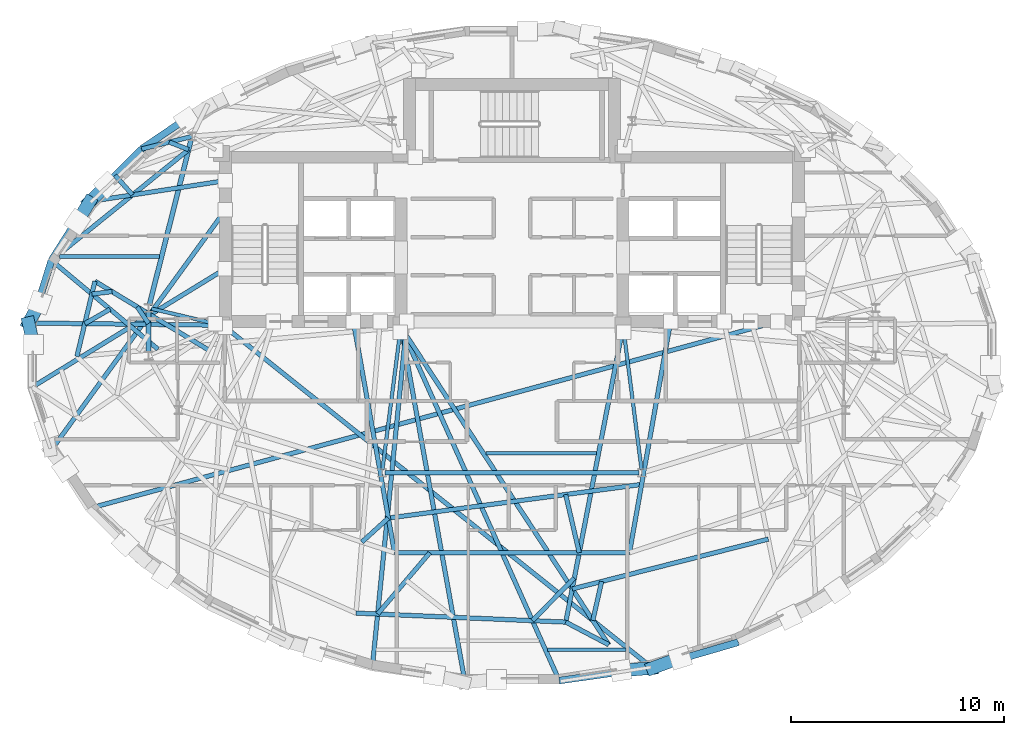
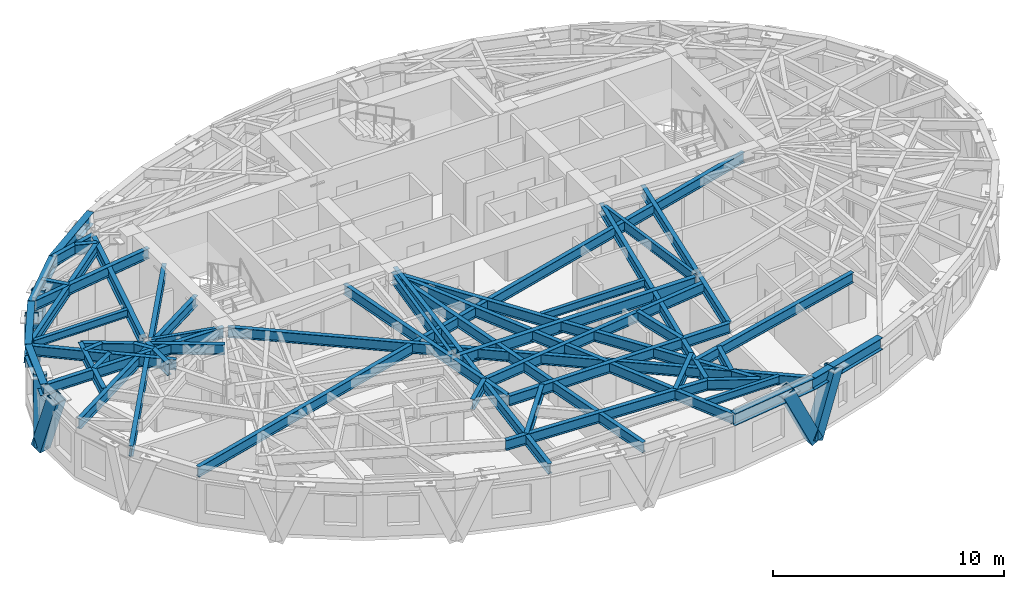
# One storey, part 2 of 14: 48 beams, 6 members.
"""IFC4 building model written with IfcOpenShell, lengths in metres."""

import ifcopenshell
import ifcopenshell.guid

model = None  # the IFC model being written
_history = None  # IfcOwnerHistory: only IFC2X3 demands one
_inside = {}  # id of a spatial element -> (the spatial element, [elements in it])
_under = {}  # id of a project, library or spatial element -> (it, [spatial elements below it])
_declared = {}  # id of a project -> (the project, [libraries it declares])
_typed = {}  # id of a type object -> (the type object, [elements of that type])
_made_of = {}  # id of a material, layer set ... -> (it, [elements and type objects made of it])


def new_model(schema):
    """Start an empty IFC model of exactly this schema.

    Asked for "IFC4X3", IfcOpenShell would pick the latest addendum, in which some entities
    have other attributes; the version numbers below select the first issue.
    IFC2X3 requires an IfcOwnerHistory on every rooted entity: one is made here for all.
    """
    global model, _history
    if schema == "IFC4X3":
        model = ifcopenshell.file(schema_version=(4, 3, 0, 0))
    else:
        model = ifcopenshell.file(schema=schema)
    _inside.clear()
    _under.clear()
    _declared.clear()
    _typed.clear()
    _made_of.clear()
    _history = None
    if model.schema == "IFC2X3":
        org = make("IfcOrganization", Name="unknown")
        user = make(
            "IfcPersonAndOrganization",
            ThePerson=make("IfcPerson", FamilyName="unknown"),
            TheOrganization=org,
        )
        app = make(
            "IfcApplication",
            ApplicationDeveloper=org,
            Version="unknown",
            ApplicationFullName="unknown",
            ApplicationIdentifier="unknown",
        )
        _history = make(
            "IfcOwnerHistory",
            OwningUser=user,
            OwningApplication=app,
            ChangeAction="ADDED",
            CreationDate=0,
        )
    return model


def make(cls, **values):
    """One entity of the class cls with the attributes given. An attribute that is None is left unset."""
    return model.create_entity(
        cls, **{name: value for name, value in values.items() if value is not None}
    )


def rooted(cls, **values):
    """An entity with a GlobalId (a new one), such as an element, a storey or a relation."""
    return make(cls, GlobalId=ifcopenshell.guid.new(), OwnerHistory=_history, **values)


def si_unit(unit_type, name, prefix=None):
    """IfcSIUnit, for example si_unit("LENGTHUNIT", "METRE", prefix="MILLI")."""
    return make("IfcSIUnit", UnitType=unit_type, Prefix=prefix, Name=name)


def assignment(units):
    """IfcUnitAssignment: the units of a project."""
    return None if units is None else make("IfcUnitAssignment", Units=units)


def point(xyz):
    """IfcCartesianPoint."""
    return None if xyz is None else make("IfcCartesianPoint", Coordinates=xyz)


def direction(xyz):
    """IfcDirection."""
    return None if xyz is None else make("IfcDirection", DirectionRatios=xyz)


def frame(location, z_axis=None, x_axis=None):
    """IfcAxis2Placement3D, a coordinate frame: its origin and axes. An axis left out is left unset."""
    return make(
        "IfcAxis2Placement3D",
        Location=point(location),
        Axis=direction(z_axis),
        RefDirection=direction(x_axis),
    )


def frame_2d(location, x_axis=None):
    """IfcAxis2Placement2D, a coordinate frame in the plane: its origin and x axis."""
    return make(
        "IfcAxis2Placement2D", Location=point(location), RefDirection=direction(x_axis)
    )


def origin():
    """The frame at (0, 0, 0) with its axes left unset."""
    return frame((0.0, 0.0, 0.0))


def origin_2d():
    """The frame at (0, 0) in the plane with its x axis left unset."""
    return frame_2d((0.0, 0.0))


def place(relative_to, where):
    """IfcLocalPlacement: puts the frame where relative to a parent placement (None: the world)."""
    return make(
        "IfcLocalPlacement", PlacementRelTo=relative_to, RelativePlacement=where
    )


def context(
    kind, dimensions, precision=None, world=None, true_north=None, identifier=None
):
    """IfcGeometricRepresentationContext, for example the 3D "Model" context."""
    return make(
        "IfcGeometricRepresentationContext",
        ContextIdentifier=identifier,
        ContextType=kind,
        CoordinateSpaceDimension=dimensions,
        Precision=precision,
        WorldCoordinateSystem=world,
        TrueNorth=true_north,
    )


def subcontext(parent, identifier, kind, view, scale=None):
    """IfcGeometricRepresentationSubContext, for example "Body" below "Model"."""
    return make(
        "IfcGeometricRepresentationSubContext",
        ContextIdentifier=identifier,
        ContextType=kind,
        ParentContext=parent,
        TargetScale=scale,
        TargetView=view,
    )


def project(units=None, contexts=None):
    """IfcProject with its units and contexts."""
    return rooted(
        "IfcProject",
        Name="project",
        RepresentationContexts=contexts,
        UnitsInContext=assignment(units),
    )


def spatial(cls, under=None, at=None, **own):
    """A site, building, storey or space (cls), placed at a placement, below another one or the project."""
    s = rooted(cls, ObjectPlacement=at, **own)
    if under is not None:
        _under.setdefault(under.id(), (under, []))[1].append(s)
    return s


def profile(cls, at=None, kind="AREA", **sizes):
    """A parametric profile (cls). Its sizes go by their IFC names, for example OverallWidth=200.0."""
    return make(cls, ProfileType=kind, Position=at, **sizes)


def hollow_rectangle(**sizes):
    """IfcRectangleHollowProfileDef."""
    return profile("IfcRectangleHollowProfileDef", **sizes)


def i_section(**sizes):
    """IfcIShapeProfileDef."""
    return profile("IfcIShapeProfileDef", **sizes)


def extrude(swept, where, along, depth):
    """IfcExtrudedAreaSolid: the profile swept, set in the frame where, extruded along a direction by depth."""
    return make(
        "IfcExtrudedAreaSolid",
        SweptArea=swept,
        Position=where,
        ExtrudedDirection=direction(along),
        Depth=depth,
    )


def shape(context_of_items, identifier, shape_type, items):
    """IfcShapeRepresentation: the items that make up one representation, for example the "Body"."""
    return make(
        "IfcShapeRepresentation",
        ContextOfItems=context_of_items,
        RepresentationIdentifier=identifier,
        RepresentationType=shape_type,
        Items=items,
    )


def material(Name=None, Category=None):
    """IfcMaterial."""
    return make("IfcMaterial", Name=Name, Category=Category)


def material_profile(
    of_material, cross_section, Name=None, Category=None, Priority=None
):
    """IfcMaterialProfile: a cross section and its material."""
    return make(
        "IfcMaterialProfile",
        Name=Name,
        Material=of_material,
        Profile=cross_section,
        Priority=Priority,
        Category=Category,
    )


def profile_set(profiles, Name=None, composite=None):
    """IfcMaterialProfileSet."""
    return make(
        "IfcMaterialProfileSet",
        Name=Name,
        MaterialProfiles=profiles,
        CompositeProfile=composite,
    )


def made_of(thing, what):
    """Note that an element or type object is made of a material, layer set ...; save() writes the relation."""
    if what is not None:
        _made_of.setdefault(what.id(), (what, []))[1].append(thing)
    return thing


def type_object(cls, material=None, **own):
    """A type object (cls), such as IfcWallType, which elements share."""
    return made_of(rooted(cls, **own), material)


def element(
    cls,
    number,
    at=None,
    inside=None,
    cuts=None,
    type_object=None,
    material=None,
    context=None,
    identifier="Body",
    shape_type=None,
    held_by="IfcProductDefinitionShape",
    body=None,
    shapes=None,
    **own,
):
    """One element of the class cls, such as IfcWall. Its Tag is "e" and its number.

    at: its placement. inside: the storey or other place that contains it. cuts: it is an
    opening in that element (IfcRelVoidsElement). A single representation is given by context,
    identifier, shape_type and body (its items); several are given by shapes. held_by: the class
    of the entity that holds the representations. save() writes the other relations.
    """
    e = rooted(cls, Tag="e%d" % number, ObjectPlacement=at, **own)
    if body is not None:
        shapes = [shape(context, identifier, shape_type, body)]
    if shapes is not None:
        e.Representation = make(held_by, Representations=shapes)
    if inside is not None:
        _inside.setdefault(inside.id(), (inside, []))[1].append(e)
    if cuts is not None:
        rooted(
            "IfcRelVoidsElement", RelatingBuildingElement=cuts, RelatedOpeningElement=e
        )
    if type_object is not None:
        _typed.setdefault(type_object.id(), (type_object, []))[1].append(e)
    return made_of(e, material)


def aggregate(whole, parts):
    """IfcRelAggregates: a whole, such as a stair, and the parts it consists of."""
    return rooted("IfcRelAggregates", RelatingObject=whole, RelatedObjects=parts)


def save(model, path):
    """Write the relations noted so far, then the file.

    IfcRelAggregates (storeys below a building ...), IfcRelContainedInSpatialStructure (elements
    in a storey), IfcRelDefinesByType, IfcRelAssociatesMaterial and IfcRelDeclares: one each for
    every whole, place, type object, material and project.
    """
    for whole, parts in _under.values():
        aggregate(whole, parts)
    for where, things in _inside.values():
        rooted(
            "IfcRelContainedInSpatialStructure",
            RelatedElements=things,
            RelatingStructure=where,
        )
    for kind, things in _typed.values():
        rooted("IfcRelDefinesByType", RelatedObjects=things, RelatingType=kind)
    for what, things in _made_of.values():
        rooted("IfcRelAssociatesMaterial", RelatedObjects=things, RelatingMaterial=what)
    for by, libraries in _declared.values():
        rooted("IfcRelDeclares", RelatingContext=by, RelatedDefinitions=libraries)
    model.write(path)


model = new_model("IFC4")

# Units and contexts
model_context = context("Model", 3, precision=1e-05, world=origin(), true_north=direction((0.0, 1.0)))
body_context = subcontext(model_context, "Body", "Model", "MODEL_VIEW")
ifc_project = project(units=[si_unit("LENGTHUNIT", "METRE"), si_unit("AREAUNIT", "SQUARE_METRE"), si_unit("VOLUMEUNIT", "CUBIC_METRE"), si_unit("PLANEANGLEUNIT", "RADIAN"), si_unit("MASSUNIT", "GRAM", prefix="KILO")], contexts=[model_context])

# Site, building, storey
site_placement = place(None, origin())
site = spatial("IfcSite", under=ifc_project, at=site_placement, CompositionType="ELEMENT")
building_placement = place(site_placement, origin())
building = spatial("IfcBuilding", under=site, at=building_placement, Name="Keldmark Tower", CompositionType="ELEMENT")
storey_placement = place(building_placement, frame((0.0, 0.0, 225.75)))
storey = spatial("IfcBuildingStorey", under=building, at=storey_placement, Name="L63", CompositionType="ELEMENT", Elevation=225.75)

# Beams
ifc_material_1 = material(Name="Steel ASTM A992 Grade 50", Category="steel")
ifc_material_profile_1 = material_profile(ifc_material_1, i_section(OverallWidth=0.177978515625, OverallDepth=0.403076171875, WebThickness=0.007568359375, FlangeThickness=0.010986328125, at=origin_2d()), Name="W16X36")
ifc_profile_set_1 = profile_set([ifc_material_profile_1], Name="Steel ASTM A992 Grade 50")
beam_type_1 = type_object("IfcBeamType", Name="Composite Floor Joist W16X36", PredefinedType="JOIST", material=ifc_profile_set_1)
beam_1_placement = place(storey_placement, frame((1.67138671875, -13.800048828125, 2.7685546875), z_axis=(1.0, 0.0, 0.0), x_axis=(0.0, 1.0, 0.0)))
element("IfcBeam", 1, at=beam_1_placement, inside=storey, type_object=beam_type_1, Name="L63 Composite Floor Joist J03", PredefinedType="JOIST", context=body_context, shape_type="SweptSolid", body=[
    extrude(i_section(OverallWidth=0.177978515625, OverallDepth=0.403076171875, WebThickness=0.007568359375, FlangeThickness=0.010986328125, at=origin_2d()), origin(), (0.0, 0.0, 1.0), 3.673095703125),
])
beam_2_placement = place(storey_placement, frame((-1.222900390625, -4.60009765625, 2.7685546875), z_axis=(1.0, 0.0, 0.0), x_axis=(0.0, 1.0, 0.0)))
element("IfcBeam", 2, at=beam_2_placement, inside=storey, type_object=beam_type_1, Name="L63 Composite Floor Joist J04", PredefinedType="JOIST", context=body_context, shape_type="SweptSolid", body=[
    extrude(i_section(OverallWidth=0.177978515625, OverallDepth=0.403076171875, WebThickness=0.007568359375, FlangeThickness=0.010986328125, at=origin_2d()), origin(), (0.0, 0.0, 1.0), 5.179931640625),
])
beam_3_placement = place(storey_placement, frame((-21.197265625, 4.6201171875, 2.7685546875), z_axis=(1.0, 0.0, 0.0), x_axis=(0.0, 1.0, 0.0)))
element("IfcBeam", 3, at=beam_3_placement, inside=storey, type_object=beam_type_1, Name="L63 Composite Floor Joist J05", PredefinedType="JOIST", context=body_context, shape_type="SweptSolid", body=[
    extrude(i_section(OverallWidth=0.177978515625, OverallDepth=0.403076171875, WebThickness=0.007568359375, FlangeThickness=0.010986328125, at=origin_2d()), origin(), (0.0, 0.0, 1.0), 4.67236328125),
])

# Members
ifc_material_2 = material(Name="Steel ASTM A572 Grade 50", Category="steel")
ifc_material_profile_2 = material_profile(ifc_material_2, hollow_rectangle(XDim=0.60009765625, YDim=0.60009765625, WallThickness=0.034912109375, at=origin_2d()), Name="BOX600X600X35")
ifc_profile_set_2 = profile_set([ifc_material_profile_2], Name="Steel ASTM A572 Grade 50")
member_type = type_object("IfcMemberType", Name="Diagrid Zone 4 Brace BOX600X600X35", PredefinedType="BRACE", material=ifc_profile_set_2)
member_1_placement = place(storey_placement, frame((-19.809814453125, 7.15966796875, -0.260009765625), z_axis=(0.255147124133, 0.245014662801, 0.935343658801), x_axis=(-0.692639836471, 0.721283617541, 0.0)))
element("IfcMember", 4, at=member_1_placement, inside=storey, type_object=member_type, Name="L63 Perimeter Diagrid Brace 07A", PredefinedType="BRACE", context=body_context, shape_type="SweptSolid", body=[
    extrude(hollow_rectangle(XDim=0.60009765625, YDim=0.60009765625, WallThickness=0.034912109375, at=origin_2d()), origin(), (0.0, 0.0, 1.0), 3.3251953125),
])
member_2_placement = place(storey_placement, frame((-19.80322265625, 7.16943359375, -0.260009765625), z_axis=(-0.170164366192, -0.280863886334, 0.944541987331), x_axis=(0.855273640072, -0.518176611395, 0.0)))
element("IfcMember", 5, at=member_2_placement, inside=storey, type_object=member_type, Name="L63 Perimeter Diagrid Brace 07B", PredefinedType="BRACE", context=body_context, shape_type="SweptSolid", body=[
    extrude(hollow_rectangle(XDim=0.60009765625, YDim=0.60009765625, WallThickness=0.034912109375, at=origin_2d()), origin(), (0.0, 0.0, 1.0), 3.292724609375),
])
member_3_placement = place(storey_placement, frame((-22.65185546875, 1.49951171875, -0.260009765625), z_axis=(0.159875295464, 0.292216512265, 0.942894161537), x_axis=(-0.877283427073, 0.479972695663, 0.0)))
element("IfcMember", 6, at=member_3_placement, inside=storey, type_object=member_type, Name="L63 Perimeter Diagrid Brace 08A", PredefinedType="BRACE", context=body_context, shape_type="SweptSolid", body=[
    extrude(hollow_rectangle(XDim=0.60009765625, YDim=0.60009765625, WallThickness=0.034912109375, at=origin_2d()), origin(), (0.0, 0.0, 1.0), 3.298583984375),
])
member_4_placement = place(storey_placement, frame((-22.6494140625, 1.510986328125, -0.260009765625), z_axis=(0.068559561846, -0.309895174772, 0.94829561168), x_axis=(0.976390815679, 0.216011516032, 0.0)))
element("IfcMember", 7, at=member_4_placement, inside=storey, type_object=member_type, Name="L63 Perimeter Diagrid Brace 08B", PredefinedType="BRACE", context=body_context, shape_type="SweptSolid", body=[
    extrude(hollow_rectangle(XDim=0.60009765625, YDim=0.60009765625, WallThickness=0.034912109375, at=origin_2d()), origin(), (0.0, 0.0, 1.0), 3.27978515625),
])
member_5_placement = place(storey_placement, frame((6.579345703125, -14.662353515625, -0.260009765625), z_axis=(-0.430257480523, -0.033565181989, 0.902081969121), x_axis=(0.07777554379, -0.996970894655, 0.0)))
element("IfcMember", 8, at=member_5_placement, inside=storey, type_object=member_type, Name="L63 Perimeter Diagrid Brace 13A", PredefinedType="BRACE", context=body_context, shape_type="SweptSolid", body=[
    extrude(hollow_rectangle(XDim=0.60009765625, YDim=0.60009765625, WallThickness=0.034912109375, at=origin_2d()), origin(), (0.0, 0.0, 1.0), 3.44775390625),
])
member_6_placement = place(storey_placement, frame((6.56787109375, -14.664794921875, -0.260009765625), z_axis=(0.384888644867, 0.141612674767, 0.912034309331), x_axis=(-0.345300833635, 0.938492053398, 0.0)))
element("IfcMember", 9, at=member_6_placement, inside=storey, type_object=member_type, Name="L63 Perimeter Diagrid Brace 13B", PredefinedType="BRACE", context=body_context, shape_type="SweptSolid", body=[
    extrude(hollow_rectangle(XDim=0.60009765625, YDim=0.60009765625, WallThickness=0.034912109375, at=origin_2d()), origin(), (0.0, 0.0, 1.0), 3.41015625),
])

# Beams
ifc_material_3 = material(Name="Steel ASTM A992 Grade 50", Category="steel")
ifc_material_profile_3 = material_profile(ifc_material_3, i_section(OverallWidth=0.22802734375, OverallDepth=0.60302734375, WebThickness=0.010498046875, FlangeThickness=0.014892578125, at=origin_2d()), Name="W24X68")
ifc_profile_set_3 = profile_set([ifc_material_profile_3], Name="Steel ASTM A992 Grade 50")
beam_type_2 = type_object("IfcBeamType", Name="Primary Floor Girder W24X68", PredefinedType="BEAM", material=ifc_profile_set_3)
beam_4_placement = place(storey_placement, frame((-15.030029296875, 10.10791015625, 2.66845703125), z_axis=(-0.244902129455, -0.969547805417, 0.0), x_axis=(0.969547805417, -0.244902129455, 0.0)))
element("IfcBeam", 10, at=beam_4_placement, inside=storey, type_object=beam_type_2, Name="L63 Floor Ring Girder FG-R05", PredefinedType="BEAM", context=body_context, shape_type="SweptSolid", body=[
    extrude(i_section(OverallWidth=0.22802734375, OverallDepth=0.60302734375, WebThickness=0.010498046875, FlangeThickness=0.014892578125, at=origin_2d()), origin(), (0.0, 0.0, 1.0), 8.008056640625),
])
beam_5_placement = place(storey_placement, frame((-17.025634765625, 2.068115234375, 2.66845703125), z_axis=(0.0, -1.0, 0.0), x_axis=(1.0, 0.0, 0.0)))
element("IfcBeam", 11, at=beam_5_placement, inside=storey, type_object=beam_type_2, Name="L63 Floor Ring Girder FG-R06", PredefinedType="BEAM", context=body_context, shape_type="SweptSolid", body=[
    extrude(i_section(OverallWidth=0.22802734375, OverallDepth=0.60302734375, WebThickness=0.010498046875, FlangeThickness=0.014892578125, at=origin_2d()), origin(), (0.0, 0.0, 1.0), 1.9521484375),
])
beam_6_placement = place(storey_placement, frame((-5.949462890625, -5.512939453125, 2.66845703125), z_axis=(1.0, 0.0, 0.0), x_axis=(0.0, 1.0, 0.0)))
element("IfcBeam", 12, at=beam_6_placement, inside=storey, type_object=beam_type_2, Name="L63 Floor Ring Girder FG-R09", PredefinedType="BEAM", context=body_context, shape_type="SweptSolid", body=[
    extrude(i_section(OverallWidth=0.22802734375, OverallDepth=0.60302734375, WebThickness=0.010498046875, FlangeThickness=0.014892578125, at=origin_2d()), origin(), (0.0, 0.0, 1.0), 11.89892578125),
])
ifc_material_4 = material(Name="Steel ASTM A992 Grade 50", Category="steel")
ifc_material_profile_4 = material_profile(ifc_material_4, i_section(OverallWidth=0.166015625, OverallDepth=0.529052734375, WebThickness=0.009765625, FlangeThickness=0.013671875, at=origin_2d()), Name="W21X50")
ifc_profile_set_4 = profile_set([ifc_material_profile_4], Name="Steel ASTM A992 Grade 50")
beam_type_3 = type_object("IfcBeamType", Name="Radial Tie Girder W21X50", PredefinedType="BEAM", material=ifc_profile_set_4)
beam_7_placement = place(storey_placement, frame((-16.889404296875, 2.17578125, 2.70556640625), z_axis=(0.97329039005, -0.229577474147, 0.0), x_axis=(0.229577474147, 0.97329039005, 0.0)))
element("IfcBeam", 13, at=beam_7_placement, inside=storey, type_object=beam_type_3, Name="L63 Floor Radial Girder FG-C06", PredefinedType="BEAM", context=body_context, shape_type="SweptSolid", body=[
    extrude(i_section(OverallWidth=0.166015625, OverallDepth=0.529052734375, WebThickness=0.009765625, FlangeThickness=0.013671875, at=origin_2d()), origin(), (0.0, 0.0, 1.0), 3.0595703125),
])
for number, where, z_axis, x_axis, name in (
    (14, (-6.071533203125, -5.3740234375, 2.70556640625), (0.127625044513, 0.991822488157, 0.0), (-0.991822488157, 0.127625044513, 0.0), "L63 Floor Radial Girder FG-C09"),
    (15, (6.071533203125, -5.3740234375, 2.70556640625), (-0.127625044513, 0.991822488157, 0.0), (-0.991822488157, -0.127625044513, 0.0), "L63 Floor Radial Girder FG-C10"),
):
    element("IfcBeam", number, at=place(storey_placement, frame(where, z_axis=z_axis, x_axis=x_axis)), inside=storey, type_object=beam_type_3, Name=name, PredefinedType="BEAM", context=body_context, shape_type="SweptSolid", body=[
        extrude(i_section(OverallWidth=0.166015625, OverallDepth=0.529052734375, WebThickness=0.009765625, FlangeThickness=0.013671875, at=origin_2d()), origin(), (0.0, 0.0, 1.0), 6.509765625),
    ])
ifc_material_5 = material(Name="Steel ASTM A992 Grade 50", Category="steel")
ifc_material_profile_5 = material_profile(ifc_material_5, i_section(OverallWidth=0.2099609375, OverallDepth=0.537109375, WebThickness=0.010986328125, FlangeThickness=0.017333984375, at=origin_2d()), Name="W21X68")
ifc_profile_set_5 = profile_set([ifc_material_profile_5], Name="Steel ASTM A992 Grade 50")
beam_type_4 = type_object("IfcBeamType", Name="Radial Tie Girder W21X68", PredefinedType="BEAM", material=ifc_profile_set_5)
beam_8_placement = place(storey_placement, frame((-7.43212890625, 1.574951171875, 2.701416015625), z_axis=(0.175260807701, -0.984522041035, 0.0), x_axis=(0.984522041035, 0.175260807701, 0.0)))
element("IfcBeam", 16, at=beam_8_placement, inside=storey, type_object=beam_type_4, Name="L63 Sub-Ring Step Girder STP1-M09", PredefinedType="BEAM", context=body_context, shape_type="SweptSolid", body=[
    extrude(i_section(OverallWidth=0.2099609375, OverallDepth=0.537109375, WebThickness=0.010986328125, FlangeThickness=0.017333984375, at=origin_2d()), origin(), (0.0, 0.0, 1.0), 11.0048828125),
])
beam_9_placement = place(storey_placement, frame((-5.792724609375, -7.634521484375, 2.701416015625), z_axis=(0.991295637143, 0.131654699047, 0.0), x_axis=(-0.131654699047, 0.991295637143, 0.0)))
element("IfcBeam", 17, at=beam_9_placement, inside=storey, type_object=beam_type_4, Name="L63 Framing Pin Header PH-004", PredefinedType="BEAM", context=body_context, shape_type="SweptSolid", body=[
    extrude(i_section(OverallWidth=0.2099609375, OverallDepth=0.537109375, WebThickness=0.010986328125, FlangeThickness=0.017333984375, at=origin_2d()), origin(), (0.0, 0.0, 1.0), 11.97021484375),
])
beam_10_placement = place(storey_placement, frame((7.43212890625, 1.574951171875, 2.701416015625), z_axis=(-0.175260807701, -0.984522041035, 0.0), x_axis=(0.984522041035, -0.175260807701, 0.0)))
element("IfcBeam", 18, at=beam_10_placement, inside=storey, type_object=beam_type_4, Name="L63 Sub-Ring Step Girder STP1-M10", PredefinedType="BEAM", context=body_context, shape_type="SweptSolid", body=[
    extrude(i_section(OverallWidth=0.2099609375, OverallDepth=0.537109375, WebThickness=0.010986328125, FlangeThickness=0.017333984375, at=origin_2d()), origin(), (0.0, 0.0, 1.0), 11.0048828125),
])
beam_11_placement = place(storey_placement, frame((-5.50341796875, -9.259521484375, 2.701416015625), z_axis=(1.0, 0.0, 0.0), x_axis=(0.0, 1.0, 0.0)))
element("IfcBeam", 19, at=beam_11_placement, inside=storey, type_object=beam_type_4, Name="L63 Perimeter Collector Ring Beam CRG1-M09", PredefinedType="BEAM", context=body_context, shape_type="SweptSolid", body=[
    extrude(i_section(OverallWidth=0.2099609375, OverallDepth=0.537109375, WebThickness=0.010986328125, FlangeThickness=0.017333984375, at=origin_2d()), origin(), (0.0, 0.0, 1.0), 11.0068359375),
])
beam_12_placement = place(storey_placement, frame((-5.792724609375, -7.634521484375, 2.701416015625), z_axis=(-0.741220826801, -0.67126126502, 0.0), x_axis=(0.67126126502, -0.741220826801, 0.0)))
element("IfcBeam", 20, at=beam_12_placement, inside=storey, type_object=beam_type_4, Name="L63 Framing Pin Header PH-009", PredefinedType="BEAM", context=body_context, shape_type="SweptSolid", body=[
    extrude(i_section(OverallWidth=0.2099609375, OverallDepth=0.537109375, WebThickness=0.010986328125, FlangeThickness=0.017333984375, at=origin_2d()), origin(), (0.0, 0.0, 1.0), 1.671630859375),
])
beam_13_placement = place(storey_placement, frame((2.513427734375, -6.53125, 2.701416015625), z_axis=(0.227436212917, -0.973792980594, 0.0), x_axis=(0.973792980594, 0.227436212917, 0.0)))
element("IfcBeam", 21, at=beam_13_placement, inside=storey, type_object=beam_type_4, Name="L63 Framing Pin Header PH-010", PredefinedType="BEAM", context=body_context, shape_type="SweptSolid", body=[
    extrude(i_section(OverallWidth=0.2099609375, OverallDepth=0.537109375, WebThickness=0.010986328125, FlangeThickness=0.017333984375, at=origin_2d()), origin(), (0.0, 0.0, 1.0), 2.8017578125),
])
beam_14_placement = place(storey_placement, frame((5.199951171875, 1.300048828125, 2.701416015625), z_axis=(-0.190525897384, -0.981682169761, 0.0), x_axis=(0.981682169761, -0.190525897384, 0.0)))
element("IfcBeam", 22, at=beam_14_placement, inside=storey, type_object=beam_type_4, Name="L63 Sub-Ring Step Girder STP2-M10", PredefinedType="BEAM", context=body_context, shape_type="SweptSolid", body=[
    extrude(i_section(OverallWidth=0.2099609375, OverallDepth=0.537109375, WebThickness=0.010986328125, FlangeThickness=0.017333984375, at=origin_2d()), origin(), (0.0, 0.0, 1.0), 14.067138671875),
])
beam_15_placement = place(storey_placement, frame((-7.306640625, -12.08740234375, 2.701416015625), z_axis=(0.999078597813, -0.042918007792, 0.0), x_axis=(0.042918007792, 0.999078597813, 0.0)))
element("IfcBeam", 23, at=beam_15_placement, inside=storey, type_object=beam_type_4, Name="L63 Perimeter Collector Ring Beam CRG2-M09", PredefinedType="BEAM", context=body_context, shape_type="SweptSolid", body=[
    extrude(i_section(OverallWidth=0.2099609375, OverallDepth=0.537109375, WebThickness=0.010986328125, FlangeThickness=0.017333984375, at=origin_2d()), origin(), (0.0, 0.0, 1.0), 9.83544921875),
])
beam_16_placement = place(storey_placement, frame((-14.995849609375, 10.24365234375, 2.701416015625), z_axis=(-0.970366856097, -0.241636430591, 0.0), x_axis=(0.241636430591, -0.970366856097, 0.0)))
element("IfcBeam", 24, at=beam_16_placement, inside=storey, type_object=beam_type_4, Name="L63 Perimeter Column Bracket RT-13", PredefinedType="BEAM", context=body_context, shape_type="SweptSolid", body=[
    extrude(i_section(OverallWidth=0.2099609375, OverallDepth=0.537109375, WebThickness=0.010986328125, FlangeThickness=0.017333984375, at=origin_2d()), origin(), (0.0, 0.0, 1.0), 2.427978515625),
])
beam_17_placement = place(storey_placement, frame((-16.055908203125, 9.979736328125, 2.701416015625), z_axis=(0.931905509637, -0.362701145721, 0.0), x_axis=(0.362701145721, 0.931905509637, 0.0)))
element("IfcBeam", 25, at=beam_17_placement, inside=storey, type_object=beam_type_4, Name="L63 Framing Pin Header PH-018", PredefinedType="BEAM", context=body_context, shape_type="SweptSolid", body=[
    extrude(i_section(OverallWidth=0.2099609375, OverallDepth=0.537109375, WebThickness=0.010986328125, FlangeThickness=0.017333984375, at=origin_2d()), origin(), (0.0, 0.0, 1.0), 0.970703125),
])
beam_18_placement = place(storey_placement, frame((-17.025634765625, 1.482421875, 2.701416015625), z_axis=(-0.565784031805, 0.824553472708, 0.0), x_axis=(-0.824553472708, -0.565784031805, 0.0)))
element("IfcBeam", 26, at=beam_18_placement, inside=storey, type_object=beam_type_4, Name="L63 Framing Pin Header PH-019", PredefinedType="BEAM", context=body_context, shape_type="SweptSolid", body=[
    extrude(i_section(OverallWidth=0.2099609375, OverallDepth=0.537109375, WebThickness=0.010986328125, FlangeThickness=0.017333984375, at=origin_2d()), origin(), (0.0, 0.0, 1.0), 0.9462890625),
])
beam_19_placement = place(storey_placement, frame((-14.197021484375, 0.225341796875, 2.701416015625), z_axis=(-0.855371560125, 0.518014955508, 0.0), x_axis=(-0.518014955508, -0.855371560125, 0.0)))
element("IfcBeam", 27, at=beam_19_placement, inside=storey, type_object=beam_type_4, Name="L63 Intermediate Radial Step Girder RT-15M", PredefinedType="BEAM", context=body_context, shape_type="SweptSolid", body=[
    extrude(i_section(OverallWidth=0.2099609375, OverallDepth=0.537109375, WebThickness=0.010986328125, FlangeThickness=0.017333984375, at=origin_2d()), origin(), (0.0, 0.0, 1.0), 6.24609375),
])
beam_20_placement = place(storey_placement, frame((-20.38427734375, -0.06201171875, 2.701416015625), z_axis=(0.23310531692, 0.972451495563, 0.0), x_axis=(-0.972451495563, 0.23310531692, 0.0)))
element("IfcBeam", 28, at=beam_20_placement, inside=storey, type_object=beam_type_4, Name="L63 Local Collector Chord RT-15C", PredefinedType="BEAM", context=body_context, shape_type="SweptSolid", body=[
    extrude(i_section(OverallWidth=0.2099609375, OverallDepth=0.537109375, WebThickness=0.010986328125, FlangeThickness=0.017333984375, at=origin_2d()), origin(), (0.0, 0.0, 1.0), 3.622802734375),
])
beam_21_placement = place(storey_placement, frame((-18.73828125, 2.9755859375, 2.701416015625), z_axis=(-0.992593958603, -0.12147935357, 0.0), x_axis=(0.12147935357, -0.992593958603, 0.0)))
element("IfcBeam", 29, at=beam_21_placement, inside=storey, type_object=beam_type_4, Name="L63 Framing Pin Header PH-020", PredefinedType="BEAM", context=body_context, shape_type="SweptSolid", body=[
    extrude(i_section(OverallWidth=0.2099609375, OverallDepth=0.537109375, WebThickness=0.010986328125, FlangeThickness=0.017333984375, at=origin_2d()), origin(), (0.0, 0.0, 1.0), 0.95263671875),
])
beam_22_placement = place(storey_placement, frame((-16.588134765625, 0.278564453125, 2.701416015625), z_axis=(-0.768036415504, 0.640406171472, 0.0), x_axis=(-0.640406171472, -0.768036415504, 0.0)))
element("IfcBeam", 30, at=beam_22_placement, inside=storey, type_object=beam_type_4, Name="L63 Perimeter Radial Tie Girder RT-15", PredefinedType="BEAM", context=body_context, shape_type="SweptSolid", body=[
    extrude(i_section(OverallWidth=0.2099609375, OverallDepth=0.537109375, WebThickness=0.010986328125, FlangeThickness=0.017333984375, at=origin_2d()), origin(), (0.0, 0.0, 1.0), 6.49609375),
])
beam_23_placement = place(storey_placement, frame((-18.833251953125, 2.150634765625, 2.701416015625), z_axis=(-0.867823973477, -0.496871765206, 0.0), x_axis=(0.496871765206, -0.867823973477, 0.0)))
element("IfcBeam", 31, at=beam_23_placement, inside=storey, type_object=beam_type_4, Name="L63 Framing Pin Header PH-021", PredefinedType="BEAM", context=body_context, shape_type="SweptSolid", body=[
    extrude(i_section(OverallWidth=0.2099609375, OverallDepth=0.537109375, WebThickness=0.010986328125, FlangeThickness=0.017333984375, at=origin_2d()), origin(), (0.0, 0.0, 1.0), 1.363037109375),
])
beam_24_placement = place(storey_placement, frame((-13.60009765625, 1.39990234375, 2.701416015625), z_axis=(-0.999934346316, 0.011458754635, 0.0), x_axis=(-0.011458754635, -0.999934346316, 0.0)))
element("IfcBeam", 32, at=beam_24_placement, inside=storey, type_object=beam_type_4, Name="L63 Perimeter Radial Tie Girder RT-16", PredefinedType="BEAM", context=body_context, shape_type="SweptSolid", body=[
    extrude(i_section(OverallWidth=0.2099609375, OverallDepth=0.537109375, WebThickness=0.010986328125, FlangeThickness=0.017333984375, at=origin_2d()), origin(), (0.0, 0.0, 1.0), 8.884521484375),
])
beam_25_placement = place(storey_placement, frame((-13.425048828125, 4.050048828125, 2.701416015625), z_axis=(-0.852625689618, -0.522522184604, 0.0), x_axis=(0.522522184604, -0.852625689618, 0.0)))
element("IfcBeam", 33, at=beam_25_placement, inside=storey, type_object=beam_type_4, Name="L63 Perimeter Radial Tie Girder RT-17", PredefinedType="BEAM", context=body_context, shape_type="SweptSolid", body=[
    extrude(i_section(OverallWidth=0.2099609375, OverallDepth=0.537109375, WebThickness=0.010986328125, FlangeThickness=0.017333984375, at=origin_2d()), origin(), (0.0, 0.0, 1.0), 10.625),
])
beam_26_placement = place(storey_placement, frame((-13.425048828125, 6.800048828125, 2.701416015625), z_axis=(-0.587167526518, -0.8094654383, 0.0), x_axis=(0.8094654383, -0.587167526518, 0.0)))
element("IfcBeam", 34, at=beam_26_placement, inside=storey, type_object=beam_type_4, Name="L63 Perimeter Radial Tie Girder RT-18", PredefinedType="BEAM", context=body_context, shape_type="SweptSolid", body=[
    extrude(i_section(OverallWidth=0.2099609375, OverallDepth=0.537109375, WebThickness=0.010986328125, FlangeThickness=0.017333984375, at=origin_2d()), origin(), (0.0, 0.0, 1.0), 13.88427734375),
])
beam_27_placement = place(storey_placement, frame((12.4462890625, 1.574951171875, 2.701416015625), z_axis=(-0.965059472843, -0.262030940685, 0.0), x_axis=(0.262030940685, -0.965059472843, 0.0)))
element("IfcBeam", 35, at=beam_27_placement, inside=storey, type_object=beam_type_4, Name="L63 Perimeter Radial Tie Girder RT-19", PredefinedType="BEAM", context=body_context, shape_type="SweptSolid", body=[
    extrude(i_section(OverallWidth=0.2099609375, OverallDepth=0.537109375, WebThickness=0.010986328125, FlangeThickness=0.017333984375, at=origin_2d()), origin(), (0.0, 0.0, 1.0), 33.45068359375),
])
beam_28_placement = place(storey_placement, frame((-3.852294921875, -9.259521484375, 2.701416015625), z_axis=(-0.648029929746, -0.761614869966, 0.0), x_axis=(0.761614869966, -0.648029929746, 0.0)))
element("IfcBeam", 36, at=beam_28_placement, inside=storey, type_object=beam_type_4, Name="L63 Framing Pin Header PH-028", PredefinedType="BEAM", context=body_context, shape_type="SweptSolid", body=[
    extrude(i_section(OverallWidth=0.2099609375, OverallDepth=0.537109375, WebThickness=0.010986328125, FlangeThickness=0.017333984375, at=origin_2d()), origin(), (0.0, 0.0, 1.0), 3.77001953125),
])
beam_29_placement = place(storey_placement, frame((-4.925048828125, 1.574951171875, 2.701416015625), z_axis=(-0.099478490867, -0.995039712702, 0.0), x_axis=(0.995039712702, -0.099478490867, 0.0)))
element("IfcBeam", 37, at=beam_29_placement, inside=storey, type_object=beam_type_4, Name="L63 Perimeter Radial Tie Girder RT-23", PredefinedType="BEAM", context=body_context, shape_type="SweptSolid", body=[
    extrude(i_section(OverallWidth=0.2099609375, OverallDepth=0.537109375, WebThickness=0.010986328125, FlangeThickness=0.017333984375, at=origin_2d()), origin(), (0.0, 0.0, 1.0), 16.28857421875),
])
beam_30_placement = place(storey_placement, frame((-5.199951171875, 1.300048828125, 2.701416015625), z_axis=(0.177541139067, -0.984113379616, 0.0), x_axis=(0.984113379616, 0.177541139067, 0.0)))
element("IfcBeam", 38, at=beam_30_placement, inside=storey, type_object=beam_type_4, Name="L63 Perimeter Radial Tie Girder RT-24", PredefinedType="BEAM", context=body_context, shape_type="SweptSolid", body=[
    extrude(i_section(OverallWidth=0.2099609375, OverallDepth=0.537109375, WebThickness=0.010986328125, FlangeThickness=0.017333984375, at=origin_2d()), origin(), (0.0, 0.0, 1.0), 16.81494140625),
])
beam_31_placement = place(storey_placement, frame((2.921875, -10.438232421875, 2.701416015625), z_axis=(-0.699980945767, -0.71416151924, 0.0), x_axis=(0.71416151924, -0.699980945767, 0.0)))
element("IfcBeam", 39, at=beam_31_placement, inside=storey, type_object=beam_type_4, Name="L63 Framing Pin Header PH-030", PredefinedType="BEAM", context=body_context, shape_type="SweptSolid", body=[
    extrude(i_section(OverallWidth=0.2099609375, OverallDepth=0.537109375, WebThickness=0.010986328125, FlangeThickness=0.017333984375, at=origin_2d()), origin(), (0.0, 0.0, 1.0), 2.806396484375),
])
beam_32_placement = place(storey_placement, frame((-5.199951171875, 1.300048828125, 2.701416015625), z_axis=(0.408897397642, -0.912580362599, 0.0), x_axis=(0.912580362599, 0.408897397642, 0.0)))
element("IfcBeam", 40, at=beam_32_placement, inside=storey, type_object=beam_type_4, Name="L63 Perimeter Radial Tie Girder RT-25", PredefinedType="BEAM", context=body_context, shape_type="SweptSolid", body=[
    extrude(i_section(OverallWidth=0.2099609375, OverallDepth=0.537109375, WebThickness=0.010986328125, FlangeThickness=0.017333984375, at=origin_2d()), origin(), (0.0, 0.0, 1.0), 18.133056640625),
])
beam_33_placement = place(storey_placement, frame((12.007568359375, -8.620849609375, 2.701416015625), z_axis=(-0.96916967786, -0.246394268435, 0.0), x_axis=(0.246394268435, -0.96916967786, 0.0)))
element("IfcBeam", 41, at=beam_33_placement, inside=storey, type_object=beam_type_4, Name="L63 Framing Pin Header PH-031", PredefinedType="BEAM", context=body_context, shape_type="SweptSolid", body=[
    extrude(i_section(OverallWidth=0.2099609375, OverallDepth=0.537109375, WebThickness=0.010986328125, FlangeThickness=0.017333984375, at=origin_2d()), origin(), (0.0, 0.0, 1.0), 9.478515625),
])
beam_34_placement = place(storey_placement, frame((-5.199951171875, 1.300048828125, 2.701416015625), z_axis=(0.547607943708, -0.836735047663, 0.0), x_axis=(0.836735047663, 0.547607943708, 0.0)))
element("IfcBeam", 42, at=beam_34_placement, inside=storey, type_object=beam_type_4, Name="L63 Intermediate Radial Step Girder RT-26M", PredefinedType="BEAM", context=body_context, shape_type="SweptSolid", body=[
    extrude(i_section(OverallWidth=0.2099609375, OverallDepth=0.537109375, WebThickness=0.010986328125, FlangeThickness=0.017333984375, at=origin_2d()), origin(), (0.0, 0.0, 1.0), 17.77294921875),
])
beam_35_placement = place(storey_placement, frame((2.519775390625, -12.509521484375, 2.701416015625), z_axis=(0.884496665539, -0.466546512848, 0.0), x_axis=(0.466546512848, 0.884496665539, 0.0)))
element("IfcBeam", 43, at=beam_35_placement, inside=storey, type_object=beam_type_4, Name="L63 Local Collector Chord RT-26C", PredefinedType="BEAM", context=body_context, shape_type="SweptSolid", body=[
    extrude(i_section(OverallWidth=0.2099609375, OverallDepth=0.537109375, WebThickness=0.010986328125, FlangeThickness=0.017333984375, at=origin_2d()), origin(), (0.0, 0.0, 1.0), 2.27587890625),
])
beam_36_placement = place(storey_placement, frame((4.19921875, -10.60595703125, 2.701416015625), z_axis=(-0.219980701233, -0.975504224022, 0.0), x_axis=(0.975504224022, -0.219980701233, 0.0)))
element("IfcBeam", 44, at=beam_36_placement, inside=storey, type_object=beam_type_4, Name="L63 Framing Pin Header PH-032", PredefinedType="BEAM", context=body_context, shape_type="SweptSolid", body=[
    extrude(i_section(OverallWidth=0.2099609375, OverallDepth=0.537109375, WebThickness=0.010986328125, FlangeThickness=0.017333984375, at=origin_2d()), origin(), (0.0, 0.0, 1.0), 1.872314453125),
])
beam_37_placement = place(storey_placement, frame((-13.425048828125, 1.300048828125, 2.701416015625), z_axis=(0.781698821126, -0.623656117624, 0.0), x_axis=(0.623656117624, 0.781698821126, 0.0)))
element("IfcBeam", 45, at=beam_37_placement, inside=storey, type_object=beam_type_4, Name="L63 Perimeter Radial Tie Girder RT-26", PredefinedType="BEAM", context=body_context, shape_type="SweptSolid", body=[
    extrude(i_section(OverallWidth=0.2099609375, OverallDepth=0.537109375, WebThickness=0.010986328125, FlangeThickness=0.017333984375, at=origin_2d()), origin(), (0.0, 0.0, 1.0), 25.547607421875),
])
beam_38_placement = place(storey_placement, frame((-15.1513671875, 9.627685546875, 2.701416015625), z_axis=(-0.778017307602, -0.628242842436, 0.0), x_axis=(0.628242842436, -0.778017307602, 0.0)))
element("IfcBeam", 46, at=beam_38_placement, inside=storey, type_object=beam_type_4, Name="L63 Straddling Support Chord RT-14RB", PredefinedType="BEAM", context=body_context, shape_type="SweptSolid", body=[
    extrude(i_section(OverallWidth=0.2099609375, OverallDepth=0.537109375, WebThickness=0.010986328125, FlangeThickness=0.017333984375, at=origin_2d()), origin(), (0.0, 0.0, 1.0), 8.259521484375),
])
beam_39_placement = place(storey_placement, frame((-18.59375, 8.423583984375, 2.701416015625), z_axis=(0.664092126504, -0.747650752367, 0.0), x_axis=(0.747650752367, 0.664092126504, 0.0)))
element("IfcBeam", 47, at=beam_39_placement, inside=storey, type_object=beam_type_4, Name="L63 Framing Pin Header PH-044", PredefinedType="BEAM", context=body_context, shape_type="SweptSolid", body=[
    extrude(i_section(OverallWidth=0.2099609375, OverallDepth=0.537109375, WebThickness=0.010986328125, FlangeThickness=0.017333984375, at=origin_2d()), origin(), (0.0, 0.0, 1.0), 1.22705078125),
])
beam_40_placement = place(storey_placement, frame((-13.425048828125, 8.175048828125, 2.701416015625), z_axis=(-0.988403877899, -0.151847865163, 0.0), x_axis=(0.151847865163, -0.988403877899, 0.0)))
element("IfcBeam", 48, at=beam_40_placement, inside=storey, type_object=beam_type_4, Name="L63 Perimeter Radial Tie Girder RT-14R", PredefinedType="BEAM", context=body_context, shape_type="SweptSolid", body=[
    extrude(i_section(OverallWidth=0.2099609375, OverallDepth=0.537109375, WebThickness=0.010986328125, FlangeThickness=0.017333984375, at=origin_2d()), origin(), (0.0, 0.0, 1.0), 6.48583984375),
])
ifc_material_6 = material(Name="Steel ASTM A992 Grade 50", Category="steel")
ifc_material_profile_6 = material_profile(ifc_material_6, i_section(OverallWidth=0.326904296875, OverallDepth=0.6220703125, WebThickness=0.015380859375, FlangeThickness=0.0244140625, at=origin_2d()), Name="W24X131")
ifc_profile_set_6 = profile_set([ifc_material_profile_6], Name="Steel ASTM A992 Grade 50")
beam_type_5 = type_object("IfcBeamType", Name="Spandrel Ring Beam W24X131", PredefinedType="SPANDREL", material=ifc_profile_set_6)
beam_41_placement = place(storey_placement, frame((-14.240234375, 11.76708984375, 2.658935546875), z_axis=(-0.827638454008, -0.561261605178, 0.0), x_axis=(0.561261605178, -0.827638454008, 0.0)))
element("IfcBeam", 49, at=beam_41_placement, inside=storey, type_object=beam_type_5, Name="L63 Perimeter Spandrel Ring Beam SRB-12", PredefinedType="SPANDREL", context=body_context, shape_type="SweptSolid", body=[
    extrude(i_section(OverallWidth=0.326904296875, OverallDepth=0.6220703125, WebThickness=0.015380859375, FlangeThickness=0.0244140625, at=origin_2d()), origin(), (0.0, 0.0, 1.0), 3.759521484375),
])
beam_42_placement = place(storey_placement, frame((-17.351806640625, 9.656982421875, 2.658935546875), z_axis=(-0.709543498194, -0.704661638072, 0.0), x_axis=(0.704661638072, -0.709543498194, 0.0)))
element("IfcBeam", 50, at=beam_42_placement, inside=storey, type_object=beam_type_5, Name="L63 Perimeter Spandrel Ring Beam SRB-13", PredefinedType="SPANDREL", context=body_context, shape_type="SweptSolid", body=[
    extrude(i_section(OverallWidth=0.326904296875, OverallDepth=0.6220703125, WebThickness=0.015380859375, FlangeThickness=0.0244140625, at=origin_2d()), origin(), (0.0, 0.0, 1.0), 3.500732421875),
])
beam_43_placement = place(storey_placement, frame((-19.835693359375, 7.190185546875, 2.658935546875), z_axis=(-0.53485586517, -0.844943313775, 0.0), x_axis=(0.844943313775, -0.53485586517, 0.0)))
element("IfcBeam", 51, at=beam_43_placement, inside=storey, type_object=beam_type_5, Name="L63 Perimeter Spandrel Ring Beam SRB-14", PredefinedType="SPANDREL", context=body_context, shape_type="SweptSolid", body=[
    extrude(i_section(OverallWidth=0.326904296875, OverallDepth=0.6220703125, WebThickness=0.015380859375, FlangeThickness=0.0244140625, at=origin_2d()), origin(), (0.0, 0.0, 1.0), 3.25634765625),
])
beam_44_placement = place(storey_placement, frame((-21.577392578125, 4.438720703125, 2.658935546875), z_axis=(-0.294989890949, -0.955500373751, 0.0), x_axis=(0.955500373751, -0.294989890949, 0.0)))
element("IfcBeam", 52, at=beam_44_placement, inside=storey, type_object=beam_type_5, Name="L63 Perimeter Spandrel Ring Beam SRB-15", PredefinedType="SPANDREL", context=body_context, shape_type="SweptSolid", body=[
    extrude(i_section(OverallWidth=0.326904296875, OverallDepth=0.6220703125, WebThickness=0.015380859375, FlangeThickness=0.0244140625, at=origin_2d()), origin(), (0.0, 0.0, 1.0), 3.07373046875),
])
beam_45_placement = place(storey_placement, frame((2.214599609375, -15.247802734375, 2.658935546875), z_axis=(0.990067470806, 0.140593041263, 0.0), x_axis=(-0.140593041263, 0.990067470806, 0.0)))
element("IfcBeam", 53, at=beam_45_placement, inside=storey, type_object=beam_type_5, Name="L63 Perimeter Spandrel Ring Beam SRB-25", PredefinedType="SPANDREL", context=body_context, shape_type="SweptSolid", body=[
    extrude(i_section(OverallWidth=0.326904296875, OverallDepth=0.6220703125, WebThickness=0.015380859375, FlangeThickness=0.0244140625, at=origin_2d()), origin(), (0.0, 0.0, 1.0), 4.374267578125),
])
beam_46_placement = place(storey_placement, frame((6.54541015625, -14.6328125, 2.658935546875), z_axis=(0.960133847787, 0.279540684576, 0.0), x_axis=(-0.279540684576, 0.960133847787, 0.0)))
element("IfcBeam", 54, at=beam_46_placement, inside=storey, type_object=beam_type_5, Name="L63 Perimeter Spandrel Ring Beam SRB-26", PredefinedType="SPANDREL", context=body_context, shape_type="SweptSolid", body=[
    extrude(i_section(OverallWidth=0.326904296875, OverallDepth=0.6220703125, WebThickness=0.015380859375, FlangeThickness=0.0244140625, at=origin_2d()), origin(), (0.0, 0.0, 1.0), 4.225341796875),
])

save(model, "model.ifc")
